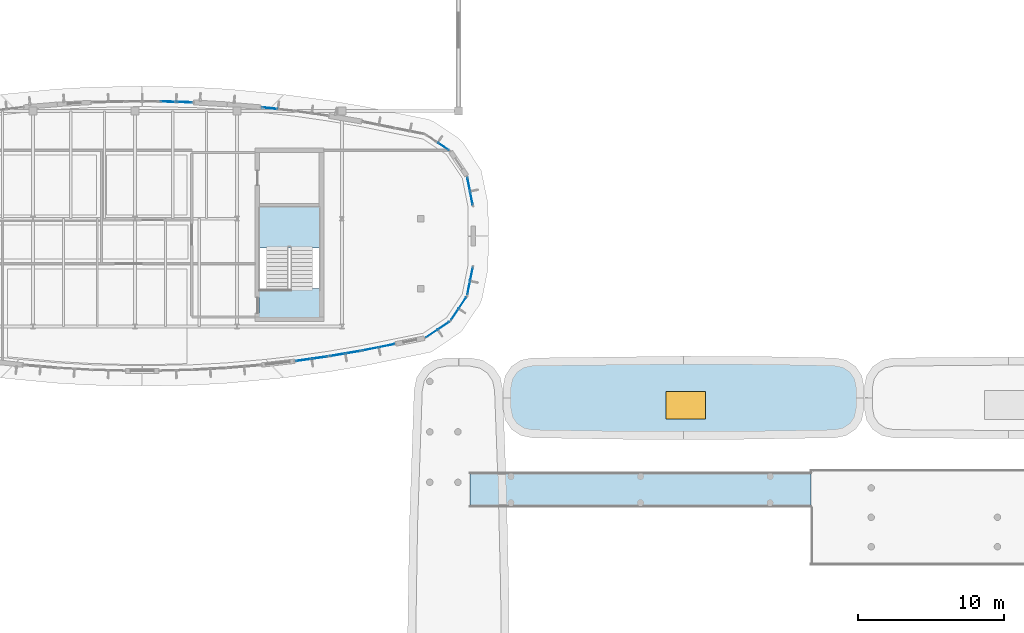
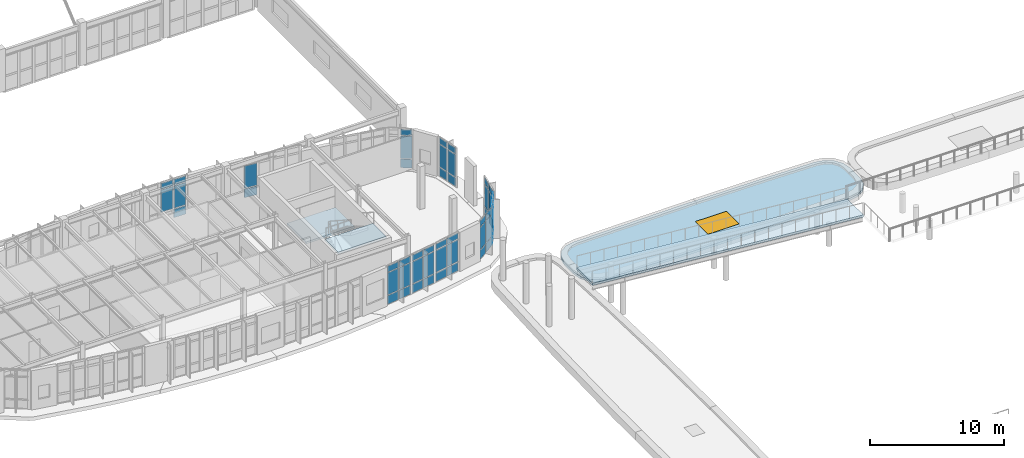
# One storey, part 73 of 111: 52 plates, 4 slabs, 1 window, 1 opening, 11 elements without a shape of their own.
"""IFC4 building model written with IfcOpenShell, lengths in metres."""

import ifcopenshell
import ifcopenshell.guid

model = None  # the IFC model being written
_history = None  # IfcOwnerHistory: only IFC2X3 demands one
_inside = {}  # id of a spatial element -> (the spatial element, [elements in it])
_under = {}  # id of a project, library or spatial element -> (it, [spatial elements below it])
_declared = {}  # id of a project -> (the project, [libraries it declares])
_typed = {}  # id of a type object -> (the type object, [elements of that type])
_made_of = {}  # id of a material, layer set ... -> (it, [elements and type objects made of it])


def new_model(schema):
    """Start an empty IFC model of exactly this schema.

    Asked for "IFC4X3", IfcOpenShell would pick the latest addendum, in which some entities
    have other attributes; the version numbers below select the first issue.
    IFC2X3 requires an IfcOwnerHistory on every rooted entity: one is made here for all.
    """
    global model, _history
    if schema == "IFC4X3":
        model = ifcopenshell.file(schema_version=(4, 3, 0, 0))
    else:
        model = ifcopenshell.file(schema=schema)
    _inside.clear()
    _under.clear()
    _declared.clear()
    _typed.clear()
    _made_of.clear()
    _history = None
    if model.schema == "IFC2X3":
        org = make("IfcOrganization", Name="unknown")
        user = make(
            "IfcPersonAndOrganization",
            ThePerson=make("IfcPerson", FamilyName="unknown"),
            TheOrganization=org,
        )
        app = make(
            "IfcApplication",
            ApplicationDeveloper=org,
            Version="unknown",
            ApplicationFullName="unknown",
            ApplicationIdentifier="unknown",
        )
        _history = make(
            "IfcOwnerHistory",
            OwningUser=user,
            OwningApplication=app,
            ChangeAction="ADDED",
            CreationDate=0,
        )
    return model


def make(cls, **values):
    """One entity of the class cls with the attributes given. An attribute that is None is left unset."""
    return model.create_entity(
        cls, **{name: value for name, value in values.items() if value is not None}
    )


def rooted(cls, **values):
    """An entity with a GlobalId (a new one), such as an element, a storey or a relation."""
    return make(cls, GlobalId=ifcopenshell.guid.new(), OwnerHistory=_history, **values)


def si_unit(unit_type, name, prefix=None):
    """IfcSIUnit, for example si_unit("LENGTHUNIT", "METRE", prefix="MILLI")."""
    return make("IfcSIUnit", UnitType=unit_type, Prefix=prefix, Name=name)


def assignment(units):
    """IfcUnitAssignment: the units of a project."""
    return None if units is None else make("IfcUnitAssignment", Units=units)


def point(xyz):
    """IfcCartesianPoint."""
    return None if xyz is None else make("IfcCartesianPoint", Coordinates=xyz)


def direction(xyz):
    """IfcDirection."""
    return None if xyz is None else make("IfcDirection", DirectionRatios=xyz)


def frame(location, z_axis=None, x_axis=None):
    """IfcAxis2Placement3D, a coordinate frame: its origin and axes. An axis left out is left unset."""
    return make(
        "IfcAxis2Placement3D",
        Location=point(location),
        Axis=direction(z_axis),
        RefDirection=direction(x_axis),
    )


def frame_2d(location, x_axis=None):
    """IfcAxis2Placement2D, a coordinate frame in the plane: its origin and x axis."""
    return make(
        "IfcAxis2Placement2D", Location=point(location), RefDirection=direction(x_axis)
    )


def origin():
    """The frame at (0, 0, 0) with its axes left unset."""
    return frame((0.0, 0.0, 0.0))


def origin_2d():
    """The frame at (0, 0) in the plane with its x axis left unset."""
    return frame_2d((0.0, 0.0))


def place(relative_to, where):
    """IfcLocalPlacement: puts the frame where relative to a parent placement (None: the world)."""
    return make(
        "IfcLocalPlacement", PlacementRelTo=relative_to, RelativePlacement=where
    )


def context(
    kind, dimensions, precision=None, world=None, true_north=None, identifier=None
):
    """IfcGeometricRepresentationContext, for example the 3D "Model" context."""
    return make(
        "IfcGeometricRepresentationContext",
        ContextIdentifier=identifier,
        ContextType=kind,
        CoordinateSpaceDimension=dimensions,
        Precision=precision,
        WorldCoordinateSystem=world,
        TrueNorth=true_north,
    )


def subcontext(parent, identifier, kind, view, scale=None):
    """IfcGeometricRepresentationSubContext, for example "Body" below "Model"."""
    return make(
        "IfcGeometricRepresentationSubContext",
        ContextIdentifier=identifier,
        ContextType=kind,
        ParentContext=parent,
        TargetScale=scale,
        TargetView=view,
    )


def project(units=None, contexts=None):
    """IfcProject with its units and contexts."""
    return rooted(
        "IfcProject",
        Name="project",
        RepresentationContexts=contexts,
        UnitsInContext=assignment(units),
    )


def spatial(cls, under=None, at=None, **own):
    """A site, building, storey or space (cls), placed at a placement, below another one or the project."""
    s = rooted(cls, ObjectPlacement=at, **own)
    if under is not None:
        _under.setdefault(under.id(), (under, []))[1].append(s)
    return s


def polyline(points):
    """IfcPolyline through the points."""
    return make("IfcPolyline", Points=[point(p) for p in points])


def profile(cls, at=None, kind="AREA", **sizes):
    """A parametric profile (cls). Its sizes go by their IFC names, for example OverallWidth=200.0."""
    return make(cls, ProfileType=kind, Position=at, **sizes)


def rectangle(**sizes):
    """IfcRectangleProfileDef."""
    return profile("IfcRectangleProfileDef", **sizes)


def outline(outer, holes=None, kind="AREA"):
    """IfcArbitraryClosedProfileDef: a profile drawn as a closed curve; with holes, ...WithVoids."""
    if holes is None:
        return make("IfcArbitraryClosedProfileDef", ProfileType=kind, OuterCurve=outer)
    return make(
        "IfcArbitraryProfileDefWithVoids",
        ProfileType=kind,
        OuterCurve=outer,
        InnerCurves=holes,
    )


def extrude(swept, where, along, depth):
    """IfcExtrudedAreaSolid: the profile swept, set in the frame where, extruded along a direction by depth."""
    return make(
        "IfcExtrudedAreaSolid",
        SweptArea=swept,
        Position=where,
        ExtrudedDirection=direction(along),
        Depth=depth,
    )


def shape(context_of_items, identifier, shape_type, items):
    """IfcShapeRepresentation: the items that make up one representation, for example the "Body"."""
    return make(
        "IfcShapeRepresentation",
        ContextOfItems=context_of_items,
        RepresentationIdentifier=identifier,
        RepresentationType=shape_type,
        Items=items,
    )


def material(Name=None, Category=None):
    """IfcMaterial."""
    return make("IfcMaterial", Name=Name, Category=Category)


def layer(
    of_material, thickness, ventilated=None, Name=None, Category=None, Priority=None
):
    """IfcMaterialLayer: one layer of a wall or slab, of a material (None: an air gap)."""
    return make(
        "IfcMaterialLayer",
        Material=of_material,
        LayerThickness=thickness,
        IsVentilated=ventilated,
        Name=Name,
        Category=Category,
        Priority=Priority,
    )


def layer_set(layers, Name=None):
    """IfcMaterialLayerSet."""
    return make("IfcMaterialLayerSet", MaterialLayers=layers, LayerSetName=Name)


def made_of(thing, what):
    """Note that an element or type object is made of a material, layer set ...; save() writes the relation."""
    if what is not None:
        _made_of.setdefault(what.id(), (what, []))[1].append(thing)
    return thing


def type_object(cls, material=None, **own):
    """A type object (cls), such as IfcWallType, which elements share."""
    return made_of(rooted(cls, **own), material)


def element(
    cls,
    number,
    at=None,
    inside=None,
    cuts=None,
    type_object=None,
    material=None,
    context=None,
    identifier="Body",
    shape_type=None,
    held_by="IfcProductDefinitionShape",
    body=None,
    shapes=None,
    **own,
):
    """One element of the class cls, such as IfcWall. Its Tag is "e" and its number.

    at: its placement. inside: the storey or other place that contains it. cuts: it is an
    opening in that element (IfcRelVoidsElement). A single representation is given by context,
    identifier, shape_type and body (its items); several are given by shapes. held_by: the class
    of the entity that holds the representations. save() writes the other relations.
    """
    e = rooted(cls, Tag="e%d" % number, ObjectPlacement=at, **own)
    if body is not None:
        shapes = [shape(context, identifier, shape_type, body)]
    if shapes is not None:
        e.Representation = make(held_by, Representations=shapes)
    if inside is not None:
        _inside.setdefault(inside.id(), (inside, []))[1].append(e)
    if cuts is not None:
        rooted(
            "IfcRelVoidsElement", RelatingBuildingElement=cuts, RelatedOpeningElement=e
        )
    if type_object is not None:
        _typed.setdefault(type_object.id(), (type_object, []))[1].append(e)
    return made_of(e, material)


def fill(opening, filler):
    """IfcRelFillsElement: the door or window that sits in an opening."""
    return rooted(
        "IfcRelFillsElement",
        RelatingOpeningElement=opening,
        RelatedBuildingElement=filler,
    )


def aggregate(whole, parts):
    """IfcRelAggregates: a whole, such as a stair, and the parts it consists of."""
    return rooted("IfcRelAggregates", RelatingObject=whole, RelatedObjects=parts)


def save(model, path):
    """Write the relations noted so far, then the file.

    IfcRelAggregates (storeys below a building ...), IfcRelContainedInSpatialStructure (elements
    in a storey), IfcRelDefinesByType, IfcRelAssociatesMaterial and IfcRelDeclares: one each for
    every whole, place, type object, material and project.
    """
    for whole, parts in _under.values():
        aggregate(whole, parts)
    for where, things in _inside.values():
        rooted(
            "IfcRelContainedInSpatialStructure",
            RelatedElements=things,
            RelatingStructure=where,
        )
    for kind, things in _typed.values():
        rooted("IfcRelDefinesByType", RelatedObjects=things, RelatingType=kind)
    for what, things in _made_of.values():
        rooted("IfcRelAssociatesMaterial", RelatedObjects=things, RelatingMaterial=what)
    for by, libraries in _declared.values():
        rooted("IfcRelDeclares", RelatingContext=by, RelatedDefinitions=libraries)
    model.write(path)


model = new_model("IFC4")

# Units and contexts
model_context = context("Model", 3, precision=1e-05, world=origin(), true_north=direction((0.0, 1.0)))
body_context = subcontext(model_context, "Body", "Model", "MODEL_VIEW")
ifc_project = project(units=[si_unit("LENGTHUNIT", "METRE"), si_unit("AREAUNIT", "SQUARE_METRE"), si_unit("VOLUMEUNIT", "CUBIC_METRE"), si_unit("PLANEANGLEUNIT", "RADIAN"), si_unit("MASSUNIT", "GRAM", prefix="KILO")], contexts=[model_context])

# Site, building, storey
site_placement = place(None, origin())
site = spatial("IfcSite", under=ifc_project, at=site_placement, CompositionType="ELEMENT")
building_placement = place(site_placement, origin())
building = spatial("IfcBuilding", under=site, at=building_placement, Name="Corveleigh Park Community Centre", CompositionType="ELEMENT")
storey_placement = place(building_placement, frame((0.0, 0.0, 4.800048828125)))
storey = spatial("IfcBuildingStorey", under=building, at=storey_placement, Name="L01", CompositionType="ELEMENT", Elevation=4.800048828125)

# Curtain wall, plates
ifc_material_1 = material(Name="Anodised aluminium 6063-T6", Category="aluminium")
curtain_wall_type = type_object("IfcCurtainWallType", Name="CW-SYS-V2-HALL", PredefinedType="NOTDEFINED", material=ifc_material_1)
curtain_wall_1_placement = place(storey_placement, origin())
curtain_wall_1 = element("IfcCurtainWall", 1, at=curtain_wall_1_placement, inside=storey, type_object=curtain_wall_type, Name="V2 L01 Curtain Wall 205", PredefinedType="NOTDEFINED")
ifc_material_2 = material(Name="Low-E double glazing", Category="glass")
ifc_layer_1 = layer(ifc_material_2, 0.02392578125, Name="Low-E double glazing", Category="glass")
ifc_layer_set_1 = layer_set([ifc_layer_1], Name="Low-E double glazing")
plate_type_1 = type_object("IfcPlateType", Name="CWP-GLZ-24", PredefinedType="CURTAIN_PANEL", material=ifc_layer_set_1)
plate_1_placement = place(storey_placement, frame((49.483154296875, 76.681884765625, 0.080078125), z_axis=(0.0, 0.0, 1.0), x_axis=(-0.980381101638, -0.197111378544, 0.0)))
plate_1 = element("IfcPlate", 2, at=plate_1_placement, type_object=plate_type_1, Name="CW04 panel 1.1", PredefinedType="CURTAIN_PANEL", context=body_context, shape_type="SweptSolid", body=[
    extrude(rectangle(XDim=1.0693359375, YDim=0.02392578125, at=origin_2d()), origin(), (0.0, 0.0, 1.0), 0.780029296875),
])
plate_2_placement = place(storey_placement, frame((49.483154296875, 76.681884765625, 0.93994140625), z_axis=(0.0, 0.0, 1.0), x_axis=(-0.980381101638, -0.197111378544, 0.0)))
plate_2 = element("IfcPlate", 3, at=plate_2_placement, type_object=plate_type_1, Name="CW04 panel 1.2", PredefinedType="CURTAIN_PANEL", context=body_context, shape_type="SweptSolid", body=[
    extrude(rectangle(XDim=1.0693359375, YDim=0.02392578125, at=origin_2d()), origin(), (0.0, 0.0, 1.0), 1.989990234375),
])
plate_3_placement = place(storey_placement, frame((49.483154296875, 76.681884765625, 3.009765625), z_axis=(0.0, 0.0, 1.0), x_axis=(-0.980381101638, -0.197111378544, 0.0)))
plate_3 = element("IfcPlate", 4, at=plate_3_placement, type_object=plate_type_1, Name="CW04 panel 1.3", PredefinedType="CURTAIN_PANEL", context=body_context, shape_type="SweptSolid", body=[
    extrude(rectangle(XDim=1.0693359375, YDim=0.02392578125, at=origin_2d()), origin(), (0.0, 0.0, 1.0), 0.530029296875),
])
plate_4_placement = place(storey_placement, frame((48.3759765625, 76.459228515625, 0.080078125), z_axis=(0.0, 0.0, 1.0), x_axis=(-0.980381101638, -0.197111378544, 0.0)))
plate_4 = element("IfcPlate", 5, at=plate_4_placement, type_object=plate_type_1, Name="CW04 panel 2.1", PredefinedType="CURTAIN_PANEL", context=body_context, shape_type="SweptSolid", body=[
    extrude(rectangle(XDim=1.0693359375, YDim=0.02392578125, at=origin_2d()), origin(), (0.0, 0.0, 1.0), 0.780029296875),
])
plate_5_placement = place(storey_placement, frame((48.3759765625, 76.459228515625, 0.93994140625), z_axis=(0.0, 0.0, 1.0), x_axis=(-0.980381101638, -0.197111378544, 0.0)))
plate_5 = element("IfcPlate", 6, at=plate_5_placement, type_object=plate_type_1, Name="CW04 panel 2.2", PredefinedType="CURTAIN_PANEL", context=body_context, shape_type="SweptSolid", body=[
    extrude(rectangle(XDim=1.0693359375, YDim=0.02392578125, at=origin_2d()), origin(), (0.0, 0.0, 1.0), 1.989990234375),
])
plate_6_placement = place(storey_placement, frame((48.3759765625, 76.459228515625, 3.009765625), z_axis=(0.0, 0.0, 1.0), x_axis=(-0.980381101638, -0.197111378544, 0.0)))
plate_6 = element("IfcPlate", 7, at=plate_6_placement, type_object=plate_type_1, Name="CW04 panel 2.3", PredefinedType="CURTAIN_PANEL", context=body_context, shape_type="SweptSolid", body=[
    extrude(rectangle(XDim=1.0693359375, YDim=0.02392578125, at=origin_2d()), origin(), (0.0, 0.0, 1.0), 0.530029296875),
])
aggregate(curtain_wall_1, [plate_1, plate_2, plate_3, plate_4, plate_5, plate_6])

curtain_wall_2_placement = place(storey_placement, origin())
curtain_wall_2 = element("IfcCurtainWall", 8, at=curtain_wall_2_placement, inside=storey, type_object=curtain_wall_type, Name="V2 L01 Curtain Wall 206", PredefinedType="NOTDEFINED")
plate_7_placement = place(storey_placement, frame((53.375, 78.05078125, 0.059814453125), z_axis=(0.0, 0.0, 1.0), x_axis=(-0.831508500991, -0.555512027575, 0.0)))
plate_7 = element("IfcPlate", 9, at=plate_7_placement, type_object=plate_type_1, Name="CW04 panel 1.1", PredefinedType="CURTAIN_PANEL", context=body_context, shape_type="SweptSolid", body=[
    extrude(rectangle(XDim=0.89697265625, YDim=0.02392578125, at=origin_2d()), origin(), (0.0, 0.0, 1.0), 0.81005859375),
])
plate_8_placement = place(storey_placement, frame((53.375, 78.05078125, 0.93017578125), z_axis=(0.0, 0.0, 1.0), x_axis=(-0.831508500991, -0.555512027575, 0.0)))
plate_8 = element("IfcPlate", 10, at=plate_8_placement, type_object=plate_type_1, Name="CW04 panel 1.2", PredefinedType="CURTAIN_PANEL", context=body_context, shape_type="SweptSolid", body=[
    extrude(rectangle(XDim=0.89697265625, YDim=0.02392578125, at=origin_2d()), origin(), (0.0, 0.0, 1.0), 2.010009765625),
])
plate_9_placement = place(storey_placement, frame((53.375, 78.05078125, 3.0), z_axis=(0.0, 0.0, 1.0), x_axis=(-0.831508500991, -0.555512027575, 0.0)))
plate_9 = element("IfcPlate", 11, at=plate_9_placement, type_object=plate_type_1, Name="CW04 panel 1.3", PredefinedType="CURTAIN_PANEL", context=body_context, shape_type="SweptSolid", body=[
    extrude(rectangle(XDim=0.89697265625, YDim=0.02392578125, at=origin_2d()), origin(), (0.0, 0.0, 1.0), 0.56005859375),
])
plate_10_placement = place(storey_placement, frame((52.574951171875, 77.516357421875, 0.059814453125), z_axis=(0.0, 0.0, 1.0), x_axis=(-0.831508500991, -0.555512027575, 0.0)))
plate_10 = element("IfcPlate", 12, at=plate_10_placement, type_object=plate_type_1, Name="CW04 panel 2.1", PredefinedType="CURTAIN_PANEL", context=body_context, shape_type="SweptSolid", body=[
    extrude(rectangle(XDim=0.89697265625, YDim=0.02392578125, at=origin_2d()), origin(), (0.0, 0.0, 1.0), 0.81005859375),
])
plate_11_placement = place(storey_placement, frame((52.574951171875, 77.516357421875, 0.93017578125), z_axis=(0.0, 0.0, 1.0), x_axis=(-0.831508500991, -0.555512027575, 0.0)))
plate_11 = element("IfcPlate", 13, at=plate_11_placement, type_object=plate_type_1, Name="CW04 panel 2.2", PredefinedType="CURTAIN_PANEL", context=body_context, shape_type="SweptSolid", body=[
    extrude(rectangle(XDim=0.89697265625, YDim=0.02392578125, at=origin_2d()), origin(), (0.0, 0.0, 1.0), 2.010009765625),
])
plate_12_placement = place(storey_placement, frame((52.574951171875, 77.516357421875, 3.0), z_axis=(0.0, 0.0, 1.0), x_axis=(-0.831508500991, -0.555512027575, 0.0)))
plate_12 = element("IfcPlate", 14, at=plate_12_placement, type_object=plate_type_1, Name="CW04 panel 2.3", PredefinedType="CURTAIN_PANEL", context=body_context, shape_type="SweptSolid", body=[
    extrude(rectangle(XDim=0.89697265625, YDim=0.02392578125, at=origin_2d()), origin(), (0.0, 0.0, 1.0), 0.56005859375),
])
aggregate(curtain_wall_2, [plate_7, plate_8, plate_9, plate_10, plate_11, plate_12])

curtain_wall_3_placement = place(storey_placement, origin())
curtain_wall_3 = element("IfcCurtainWall", 15, at=curtain_wall_3_placement, inside=storey, type_object=curtain_wall_type, Name="V2 L01 Curtain Wall 207", PredefinedType="NOTDEFINED")
ifc_layer_2 = layer(ifc_material_2, 0.028076171875, Name="Low-E double glazing", Category="glass")
ifc_layer_set_2 = layer_set([ifc_layer_2], Name="Low-E double glazing")
plate_type_2 = type_object("IfcPlateType", Name="CWP-GLZ-28", PredefinedType="CURTAIN_PANEL", material=ifc_layer_set_2)
plate_13_placement = place(storey_placement, frame((54.68310546875, 79.6240234375, 0.06494140625), z_axis=(0.0, 0.0, 1.0), x_axis=(-0.555512027575, -0.831508500991, 0.0)))
plate_13 = element("IfcPlate", 16, at=plate_13_placement, type_object=plate_type_2, Name="CW04 panel 1.1", PredefinedType="CURTAIN_PANEL", context=body_context, shape_type="SweptSolid", body=[
    extrude(rectangle(XDim=0.8896484375, YDim=0.028076171875, at=origin_2d()), origin(), (0.0, 0.0, 1.0), 0.802490234375),
])
plate_14_placement = place(storey_placement, frame((54.68310546875, 79.6240234375, 0.9326171875), z_axis=(0.0, 0.0, 1.0), x_axis=(-0.555512027575, -0.831508500991, 0.0)))
plate_14 = element("IfcPlate", 17, at=plate_14_placement, type_object=plate_type_2, Name="CW04 panel 1.2", PredefinedType="CURTAIN_PANEL", context=body_context, shape_type="SweptSolid", body=[
    extrude(rectangle(XDim=0.8896484375, YDim=0.028076171875, at=origin_2d()), origin(), (0.0, 0.0, 1.0), 2.0048828125),
])
plate_15_placement = place(storey_placement, frame((54.68310546875, 79.6240234375, 3.00244140625), z_axis=(0.0, 0.0, 1.0), x_axis=(-0.555512027575, -0.831508500991, 0.0)))
plate_15 = element("IfcPlate", 18, at=plate_15_placement, type_object=plate_type_2, Name="CW04 panel 1.3", PredefinedType="CURTAIN_PANEL", context=body_context, shape_type="SweptSolid", body=[
    extrude(rectangle(XDim=0.8896484375, YDim=0.028076171875, at=origin_2d()), origin(), (0.0, 0.0, 1.0), 0.552490234375),
])
plate_16_placement = place(storey_placement, frame((54.14990234375, 78.826171875, 0.06494140625), z_axis=(0.0, 0.0, 1.0), x_axis=(-0.555512027575, -0.831508500991, 0.0)))
plate_16 = element("IfcPlate", 19, at=plate_16_placement, type_object=plate_type_2, Name="CW04 panel 2.1", PredefinedType="CURTAIN_PANEL", context=body_context, shape_type="SweptSolid", body=[
    extrude(rectangle(XDim=0.8896484375, YDim=0.028076171875, at=origin_2d()), origin(), (0.0, 0.0, 1.0), 0.802490234375),
])
plate_17_placement = place(storey_placement, frame((54.14990234375, 78.826171875, 0.9326171875), z_axis=(0.0, 0.0, 1.0), x_axis=(-0.555512027575, -0.831508500991, 0.0)))
plate_17 = element("IfcPlate", 20, at=plate_17_placement, type_object=plate_type_2, Name="CW04 panel 2.2", PredefinedType="CURTAIN_PANEL", context=body_context, shape_type="SweptSolid", body=[
    extrude(rectangle(XDim=0.8896484375, YDim=0.028076171875, at=origin_2d()), origin(), (0.0, 0.0, 1.0), 2.0048828125),
])
plate_18_placement = place(storey_placement, frame((54.14990234375, 78.826171875, 3.00244140625), z_axis=(0.0, 0.0, 1.0), x_axis=(-0.555512027575, -0.831508500991, 0.0)))
plate_18 = element("IfcPlate", 21, at=plate_18_placement, type_object=plate_type_2, Name="CW04 panel 2.3", PredefinedType="CURTAIN_PANEL", context=body_context, shape_type="SweptSolid", body=[
    extrude(rectangle(XDim=0.8896484375, YDim=0.028076171875, at=origin_2d()), origin(), (0.0, 0.0, 1.0), 0.552490234375),
])
aggregate(curtain_wall_3, [plate_13, plate_14, plate_15, plate_16, plate_17, plate_18])

curtain_wall_4_placement = place(storey_placement, origin())
curtain_wall_4 = element("IfcCurtainWall", 22, at=curtain_wall_4_placement, inside=storey, type_object=curtain_wall_type, Name="V2 L01 Curtain Wall 208", PredefinedType="NOTDEFINED")
plate_19_placement = place(storey_placement, frame((55.29345703125, 81.5927734375, 0.070068359375), z_axis=(0.0, 0.0, 1.0), x_axis=(-0.195063384171, -0.980790638289, 0.0)))
plate_19 = element("IfcPlate", 23, at=plate_19_placement, type_object=plate_type_2, Name="CW04 panel 1.1", PredefinedType="CURTAIN_PANEL", context=body_context, shape_type="SweptSolid", body=[
    extrude(rectangle(XDim=0.892333984375, YDim=0.028076171875, at=origin_2d()), origin(), (0.0, 0.0, 1.0), 0.794921875),
])
plate_20_placement = place(storey_placement, frame((55.29345703125, 81.5927734375, 0.93505859375), z_axis=(0.0, 0.0, 1.0), x_axis=(-0.195063384171, -0.980790638289, 0.0)))
plate_20 = element("IfcPlate", 24, at=plate_20_placement, type_object=plate_type_2, Name="CW04 panel 1.2", PredefinedType="CURTAIN_PANEL", context=body_context, shape_type="SweptSolid", body=[
    extrude(rectangle(XDim=0.892333984375, YDim=0.028076171875, at=origin_2d()), origin(), (0.0, 0.0, 1.0), 2.0),
])
plate_21_placement = place(storey_placement, frame((55.29345703125, 81.5927734375, 3.0048828125), z_axis=(0.0, 0.0, 1.0), x_axis=(-0.195063384171, -0.980790638289, 0.0)))
plate_21 = element("IfcPlate", 25, at=plate_21_placement, type_object=plate_type_2, Name="CW04 panel 1.3", PredefinedType="CURTAIN_PANEL", context=body_context, shape_type="SweptSolid", body=[
    extrude(rectangle(XDim=0.892333984375, YDim=0.028076171875, at=origin_2d()), origin(), (0.0, 0.0, 1.0), 0.544921875),
])
plate_22_placement = place(storey_placement, frame((55.104736328125, 80.64404296875, 0.070068359375), z_axis=(0.0, 0.0, 1.0), x_axis=(-0.195063384171, -0.980790638289, 0.0)))
plate_22 = element("IfcPlate", 26, at=plate_22_placement, type_object=plate_type_2, Name="CW04 panel 2.1", PredefinedType="CURTAIN_PANEL", context=body_context, shape_type="SweptSolid", body=[
    extrude(rectangle(XDim=0.892333984375, YDim=0.028076171875, at=origin_2d()), origin(), (0.0, 0.0, 1.0), 0.794921875),
])
plate_23_placement = place(storey_placement, frame((55.104736328125, 80.64404296875, 0.93505859375), z_axis=(0.0, 0.0, 1.0), x_axis=(-0.195063384171, -0.980790638289, 0.0)))
plate_23 = element("IfcPlate", 27, at=plate_23_placement, type_object=plate_type_2, Name="CW04 panel 2.2", PredefinedType="CURTAIN_PANEL", context=body_context, shape_type="SweptSolid", body=[
    extrude(rectangle(XDim=0.892333984375, YDim=0.028076171875, at=origin_2d()), origin(), (0.0, 0.0, 1.0), 2.0),
])
plate_24_placement = place(storey_placement, frame((55.104736328125, 80.64404296875, 3.0048828125), z_axis=(0.0, 0.0, 1.0), x_axis=(-0.195063384171, -0.980790638289, 0.0)))
plate_24 = element("IfcPlate", 28, at=plate_24_placement, type_object=plate_type_2, Name="CW04 panel 2.3", PredefinedType="CURTAIN_PANEL", context=body_context, shape_type="SweptSolid", body=[
    extrude(rectangle(XDim=0.892333984375, YDim=0.028076171875, at=origin_2d()), origin(), (0.0, 0.0, 1.0), 0.544921875),
])
aggregate(curtain_wall_4, [plate_19, plate_20, plate_21, plate_22, plate_23, plate_24])

curtain_wall_5_placement = place(storey_placement, origin())
curtain_wall_5 = element("IfcCurtainWall", 29, at=curtain_wall_5_placement, inside=storey, type_object=curtain_wall_type, Name="V2 L01 Curtain Wall 209", PredefinedType="NOTDEFINED")
ifc_layer_3 = layer(ifc_material_2, 0.031982421875, Name="Low-E double glazing", Category="glass")
ifc_layer_set_3 = layer_set([ifc_layer_3], Name="Low-E double glazing")
plate_type_3 = type_object("IfcPlateType", Name="CWP-GLZ-32", PredefinedType="CURTAIN_PANEL", material=ifc_layer_set_3)
plate_25_placement = place(storey_placement, frame((55.10498046875, 87.754638671875, 0.074951171875), z_axis=(0.0, 0.0, 1.0), x_axis=(0.195063384171, -0.980790638289, 0.0)))
plate_25 = element("IfcPlate", 30, at=plate_25_placement, type_object=plate_type_3, Name="CW04 panel 1.1", PredefinedType="CURTAIN_PANEL", context=body_context, shape_type="SweptSolid", body=[
    extrude(rectangle(XDim=0.884765625, YDim=0.031982421875, at=origin_2d()), origin(), (0.0, 0.0, 1.0), 0.78759765625),
])
plate_26_placement = place(storey_placement, frame((55.10498046875, 87.754638671875, 0.9375), z_axis=(0.0, 0.0, 1.0), x_axis=(0.195063384171, -0.980790638289, 0.0)))
plate_26 = element("IfcPlate", 31, at=plate_26_placement, type_object=plate_type_3, Name="CW04 panel 1.2", PredefinedType="CURTAIN_PANEL", context=body_context, shape_type="SweptSolid", body=[
    extrude(rectangle(XDim=0.884765625, YDim=0.031982421875, at=origin_2d()), origin(), (0.0, 0.0, 1.0), 2.031982421875),
])
plate_27_placement = place(storey_placement, frame((55.10498046875, 87.754638671875, 3.04443359375), z_axis=(0.0, 0.0, 1.0), x_axis=(0.195063384171, -0.980790638289, 0.0)))
plate_27 = element("IfcPlate", 32, at=plate_27_placement, type_object=plate_type_3, Name="CW04 panel 1.3", PredefinedType="CURTAIN_PANEL", context=body_context, shape_type="SweptSolid", body=[
    extrude(rectangle(XDim=0.884765625, YDim=0.031982421875, at=origin_2d()), origin(), (0.0, 0.0, 1.0), 0.53759765625),
])
plate_28_placement = place(storey_placement, frame((55.293212890625, 86.808349609375, 0.074951171875), z_axis=(0.0, 0.0, 1.0), x_axis=(0.195063384171, -0.980790638289, 0.0)))
plate_28 = element("IfcPlate", 33, at=plate_28_placement, type_object=plate_type_3, Name="CW04 panel 2.1", PredefinedType="CURTAIN_PANEL", context=body_context, shape_type="SweptSolid", body=[
    extrude(rectangle(XDim=0.884765625, YDim=0.031982421875, at=origin_2d()), origin(), (0.0, 0.0, 1.0), 0.78759765625),
])
plate_29_placement = place(storey_placement, frame((55.293212890625, 86.808349609375, 0.9375), z_axis=(0.0, 0.0, 1.0), x_axis=(0.195063384171, -0.980790638289, 0.0)))
plate_29 = element("IfcPlate", 34, at=plate_29_placement, type_object=plate_type_3, Name="CW04 panel 2.2", PredefinedType="CURTAIN_PANEL", context=body_context, shape_type="SweptSolid", body=[
    extrude(rectangle(XDim=0.884765625, YDim=0.031982421875, at=origin_2d()), origin(), (0.0, 0.0, 1.0), 2.031982421875),
])
plate_30_placement = place(storey_placement, frame((55.293212890625, 86.808349609375, 3.04443359375), z_axis=(0.0, 0.0, 1.0), x_axis=(0.195063384171, -0.980790638289, 0.0)))
plate_30 = element("IfcPlate", 35, at=plate_30_placement, type_object=plate_type_3, Name="CW04 panel 2.3", PredefinedType="CURTAIN_PANEL", context=body_context, shape_type="SweptSolid", body=[
    extrude(rectangle(XDim=0.884765625, YDim=0.031982421875, at=origin_2d()), origin(), (0.0, 0.0, 1.0), 0.53759765625),
])
aggregate(curtain_wall_5, [plate_25, plate_26, plate_27, plate_28, plate_29, plate_30])

curtain_wall_6_placement = place(storey_placement, origin())
curtain_wall_6 = element("IfcCurtainWall", 36, at=curtain_wall_6_placement, inside=storey, type_object=curtain_wall_type, Name="V2 L01 Curtain Wall 210", PredefinedType="NOTDEFINED")
plate_31_placement = place(storey_placement, frame((53.370849609375, 90.35205078125, 0.080078125), z_axis=(0.0, 0.0, 1.0), x_axis=(0.831508500991, -0.555512027575, 0.0)))
plate_31 = element("IfcPlate", 37, at=plate_31_placement, type_object=plate_type_3, Name="CW04 panel 2.1", PredefinedType="CURTAIN_PANEL", context=body_context, shape_type="SweptSolid", body=[
    extrude(rectangle(XDim=0.8671875, YDim=0.031982421875, at=origin_2d()), origin(), (0.0, 0.0, 1.0), 0.780029296875),
])
plate_32_placement = place(storey_placement, frame((53.370849609375, 90.35205078125, 0.93994140625), z_axis=(0.0, 0.0, 1.0), x_axis=(0.831508500991, -0.555512027575, 0.0)))
plate_32 = element("IfcPlate", 38, at=plate_32_placement, type_object=plate_type_3, Name="CW04 panel 2.2", PredefinedType="CURTAIN_PANEL", context=body_context, shape_type="SweptSolid", body=[
    extrude(rectangle(XDim=0.8671875, YDim=0.031982421875, at=origin_2d()), origin(), (0.0, 0.0, 1.0), 2.027099609375),
])
plate_33_placement = place(storey_placement, frame((53.370849609375, 90.35205078125, 3.046875), z_axis=(0.0, 0.0, 1.0), x_axis=(0.831508500991, -0.555512027575, 0.0)))
plate_33 = element("IfcPlate", 39, at=plate_33_placement, type_object=plate_type_3, Name="CW04 panel 2.3", PredefinedType="CURTAIN_PANEL", context=body_context, shape_type="SweptSolid", body=[
    extrude(rectangle(XDim=0.8671875, YDim=0.031982421875, at=origin_2d()), origin(), (0.0, 0.0, 1.0), 0.530029296875),
])
aggregate(curtain_wall_6, [plate_31, plate_32, plate_33])

curtain_wall_7_placement = place(storey_placement, origin())
curtain_wall_7 = element("IfcCurtainWall", 40, at=curtain_wall_7_placement, inside=storey, type_object=curtain_wall_type, Name="V2 L01 Curtain Wall 214", PredefinedType="NOTDEFINED")
ifc_layer_4 = layer(ifc_material_2, 0.0400390625, Name="Low-E double glazing", Category="glass")
ifc_layer_set_4 = layer_set([ifc_layer_4], Name="Low-E double glazing")
plate_type_4 = type_object("IfcPlateType", Name="CWP-GLZ-40", PredefinedType="CURTAIN_PANEL", material=ifc_layer_set_4)
plate_34_placement = place(storey_placement, frame((41.457763671875, 92.9794921875, 0.074951171875), z_axis=(0.0, 0.0, 1.0), x_axis=(0.99357990731, -0.113132523128, 0.0)))
plate_34 = element("IfcPlate", 41, at=plate_34_placement, type_object=plate_type_4, Name="CW04 panel 1.1", PredefinedType="CURTAIN_PANEL", context=body_context, shape_type="SweptSolid", body=[
    extrude(rectangle(XDim=1.04541015625, YDim=0.0400390625, at=origin_2d()), origin(), (0.0, 0.0, 1.0), 0.78759765625),
])
plate_35_placement = place(storey_placement, frame((41.457763671875, 92.9794921875, 0.9375), z_axis=(0.0, 0.0, 1.0), x_axis=(0.99357990731, -0.113132523128, 0.0)))
plate_35 = element("IfcPlate", 42, at=plate_35_placement, type_object=plate_type_4, Name="CW04 panel 1.2", PredefinedType="CURTAIN_PANEL", context=body_context, shape_type="SweptSolid", body=[
    extrude(rectangle(XDim=1.04541015625, YDim=0.0400390625, at=origin_2d()), origin(), (0.0, 0.0, 1.0), 2.031982421875),
])
aggregate(curtain_wall_7, [plate_34, plate_35])

curtain_wall_8_placement = place(storey_placement, origin())
curtain_wall_8 = element("IfcCurtainWall", 43, at=curtain_wall_8_placement, inside=storey, type_object=curtain_wall_type, Name="V2 L01 Curtain Wall 203", PredefinedType="NOTDEFINED")
ifc_layer_5 = layer(ifc_material_2, 0.0439453125, Name="Low-E double glazing", Category="glass")
ifc_layer_set_5 = layer_set([ifc_layer_5], Name="Low-E double glazing")
plate_type_5 = type_object("IfcPlateType", Name="CWP-GLZ-44", PredefinedType="CURTAIN_PANEL", material=ifc_layer_set_5)
plate_36_placement = place(storey_placement, frame((44.882080078125, 75.860107421875, 0.070068359375), z_axis=(0.0, 0.0, 1.0), x_axis=(-0.989914912111, -0.141663216042, 0.0)))
plate_36 = element("IfcPlate", 44, at=plate_36_placement, type_object=plate_type_5, Name="CW04 panel 1.1", PredefinedType="CURTAIN_PANEL", context=body_context, shape_type="SweptSolid", body=[
    extrude(rectangle(XDim=1.03759765625, YDim=0.0439453125, at=origin_2d()), origin(), (0.0, 0.0, 1.0), 0.794921875),
])
plate_37_placement = place(storey_placement, frame((44.882080078125, 75.860107421875, 0.93505859375), z_axis=(0.0, 0.0, 1.0), x_axis=(-0.989914912111, -0.141663216042, 0.0)))
plate_37 = element("IfcPlate", 45, at=plate_37_placement, type_object=plate_type_5, Name="CW04 panel 1.2", PredefinedType="CURTAIN_PANEL", context=body_context, shape_type="SweptSolid", body=[
    extrude(rectangle(XDim=1.03759765625, YDim=0.0439453125, at=origin_2d()), origin(), (0.0, 0.0, 1.0), 2.0),
])
plate_38_placement = place(storey_placement, frame((44.882080078125, 75.860107421875, 3.0048828125), z_axis=(0.0, 0.0, 1.0), x_axis=(-0.989914912111, -0.141663216042, 0.0)))
plate_38 = element("IfcPlate", 46, at=plate_38_placement, type_object=plate_type_5, Name="CW04 panel 1.3", PredefinedType="CURTAIN_PANEL", context=body_context, shape_type="SweptSolid", body=[
    extrude(rectangle(XDim=1.03759765625, YDim=0.0439453125, at=origin_2d()), origin(), (0.0, 0.0, 1.0), 0.544921875),
])
plate_39_placement = place(storey_placement, frame((43.77587890625, 75.701904296875, 0.070068359375), z_axis=(0.0, 0.0, 1.0), x_axis=(-0.989914912111, -0.141663216042, 0.0)))
plate_39 = element("IfcPlate", 47, at=plate_39_placement, type_object=plate_type_5, Name="CW04 panel 2.1", PredefinedType="CURTAIN_PANEL", context=body_context, shape_type="SweptSolid", body=[
    extrude(rectangle(XDim=1.03759765625, YDim=0.0439453125, at=origin_2d()), origin(), (0.0, 0.0, 1.0), 0.794921875),
])
plate_40_placement = place(storey_placement, frame((43.77587890625, 75.701904296875, 0.93505859375), z_axis=(0.0, 0.0, 1.0), x_axis=(-0.989914912111, -0.141663216042, 0.0)))
plate_40 = element("IfcPlate", 48, at=plate_40_placement, type_object=plate_type_5, Name="CW04 panel 2.2", PredefinedType="CURTAIN_PANEL", context=body_context, shape_type="SweptSolid", body=[
    extrude(rectangle(XDim=1.03759765625, YDim=0.0439453125, at=origin_2d()), origin(), (0.0, 0.0, 1.0), 2.0),
])
plate_41_placement = place(storey_placement, frame((43.77587890625, 75.701904296875, 3.0048828125), z_axis=(0.0, 0.0, 1.0), x_axis=(-0.989914912111, -0.141663216042, 0.0)))
plate_41 = element("IfcPlate", 49, at=plate_41_placement, type_object=plate_type_5, Name="CW04 panel 2.3", PredefinedType="CURTAIN_PANEL", context=body_context, shape_type="SweptSolid", body=[
    extrude(rectangle(XDim=1.03759765625, YDim=0.0439453125, at=origin_2d()), origin(), (0.0, 0.0, 1.0), 0.544921875),
])
aggregate(curtain_wall_8, [plate_36, plate_37, plate_38, plate_39, plate_40, plate_41])

curtain_wall_9_placement = place(storey_placement, origin())
curtain_wall_9 = element("IfcCurtainWall", 50, at=curtain_wall_9_placement, inside=storey, type_object=curtain_wall_type, Name="V2 L01 Curtain Wall 204", PredefinedType="NOTDEFINED")
plate_42_placement = place(storey_placement, frame((47.18359375, 76.23681640625, 0.074951171875), z_axis=(0.0, 0.0, 1.0), x_axis=(-0.985708447551, -0.16846025177, 0.0)))
plate_42 = element("IfcPlate", 51, at=plate_42_placement, type_object=plate_type_5, Name="CW04 panel 1.1", PredefinedType="CURTAIN_PANEL", context=body_context, shape_type="SweptSolid", body=[
    extrude(rectangle(XDim=1.030029296875, YDim=0.0439453125, at=origin_2d()), origin(), (0.0, 0.0, 1.0), 0.78759765625),
])
plate_43_placement = place(storey_placement, frame((47.18359375, 76.23681640625, 0.9375), z_axis=(0.0, 0.0, 1.0), x_axis=(-0.985708447551, -0.16846025177, 0.0)))
plate_43 = element("IfcPlate", 52, at=plate_43_placement, type_object=plate_type_5, Name="CW04 panel 1.2", PredefinedType="CURTAIN_PANEL", context=body_context, shape_type="SweptSolid", body=[
    extrude(rectangle(XDim=1.030029296875, YDim=0.0439453125, at=origin_2d()), origin(), (0.0, 0.0, 1.0), 1.9951171875),
])
plate_44_placement = place(storey_placement, frame((47.18359375, 76.23681640625, 3.00732421875), z_axis=(0.0, 0.0, 1.0), x_axis=(-0.985708447551, -0.16846025177, 0.0)))
plate_44 = element("IfcPlate", 53, at=plate_44_placement, type_object=plate_type_5, Name="CW04 panel 1.3", PredefinedType="CURTAIN_PANEL", context=body_context, shape_type="SweptSolid", body=[
    extrude(rectangle(XDim=1.030029296875, YDim=0.0439453125, at=origin_2d()), origin(), (0.0, 0.0, 1.0), 0.53759765625),
])
plate_45_placement = place(storey_placement, frame((46.08447265625, 76.049072265625, 0.074951171875), z_axis=(0.0, 0.0, 1.0), x_axis=(-0.985708447551, -0.16846025177, 0.0)))
plate_45 = element("IfcPlate", 54, at=plate_45_placement, type_object=plate_type_5, Name="CW04 panel 2.1", PredefinedType="CURTAIN_PANEL", context=body_context, shape_type="SweptSolid", body=[
    extrude(rectangle(XDim=1.030029296875, YDim=0.0439453125, at=origin_2d()), origin(), (0.0, 0.0, 1.0), 0.78759765625),
])
plate_46_placement = place(storey_placement, frame((46.08447265625, 76.049072265625, 0.9375), z_axis=(0.0, 0.0, 1.0), x_axis=(-0.985708447551, -0.16846025177, 0.0)))
plate_46 = element("IfcPlate", 55, at=plate_46_placement, type_object=plate_type_5, Name="CW04 panel 2.2", PredefinedType="CURTAIN_PANEL", context=body_context, shape_type="SweptSolid", body=[
    extrude(rectangle(XDim=1.030029296875, YDim=0.0439453125, at=origin_2d()), origin(), (0.0, 0.0, 1.0), 1.9951171875),
])
plate_47_placement = place(storey_placement, frame((46.08447265625, 76.049072265625, 3.00732421875), z_axis=(0.0, 0.0, 1.0), x_axis=(-0.985708447551, -0.16846025177, 0.0)))
plate_47 = element("IfcPlate", 56, at=plate_47_placement, type_object=plate_type_5, Name="CW04 panel 2.3", PredefinedType="CURTAIN_PANEL", context=body_context, shape_type="SweptSolid", body=[
    extrude(rectangle(XDim=1.030029296875, YDim=0.0439453125, at=origin_2d()), origin(), (0.0, 0.0, 1.0), 0.53759765625),
])
aggregate(curtain_wall_9, [plate_42, plate_43, plate_44, plate_45, plate_46, plate_47])

curtain_wall_10_placement = place(storey_placement, origin())
curtain_wall_10 = element("IfcCurtainWall", 57, at=curtain_wall_10_placement, inside=storey, type_object=curtain_wall_type, Name="V2 L01 Curtain Wall 215", PredefinedType="NOTDEFINED")
plate_48_placement = place(storey_placement, frame((34.474853515625, 93.427001953125, 0.93994140625), z_axis=(0.0, 0.0, 1.0), x_axis=(0.999593845531, -0.028498139871, 0.0)))
plate_48 = element("IfcPlate", 58, at=plate_48_placement, type_object=plate_type_5, Name="CW04 panel 1.2", PredefinedType="CURTAIN_PANEL", context=body_context, shape_type="SweptSolid", body=[
    extrude(rectangle(XDim=1.0380859375, YDim=0.0439453125, at=origin_2d()), origin(), (0.0, 0.0, 1.0), 2.027099609375),
])
plate_49_placement = place(storey_placement, frame((34.474853515625, 93.427001953125, 3.046875), z_axis=(0.0, 0.0, 1.0), x_axis=(0.999593845531, -0.028498139871, 0.0)))
plate_49 = element("IfcPlate", 59, at=plate_49_placement, type_object=plate_type_5, Name="CW04 panel 1.3", PredefinedType="CURTAIN_PANEL", context=body_context, shape_type="SweptSolid", body=[
    extrude(rectangle(XDim=1.0380859375, YDim=0.0439453125, at=origin_2d()), origin(), (0.0, 0.0, 1.0), 0.530029296875),
])
plate_50_placement = place(storey_placement, frame((35.59228515625, 93.39501953125, 0.080078125), z_axis=(0.0, 0.0, 1.0), x_axis=(0.999593845531, -0.028498139871, 0.0)))
plate_50 = element("IfcPlate", 60, at=plate_50_placement, type_object=plate_type_5, Name="CW04 panel 2.1", PredefinedType="CURTAIN_PANEL", context=body_context, shape_type="SweptSolid", body=[
    extrude(rectangle(XDim=1.0380859375, YDim=0.0439453125, at=origin_2d()), origin(), (0.0, 0.0, 1.0), 0.780029296875),
])
plate_51_placement = place(storey_placement, frame((35.59228515625, 93.39501953125, 0.93994140625), z_axis=(0.0, 0.0, 1.0), x_axis=(0.999593845531, -0.028498139871, 0.0)))
plate_51 = element("IfcPlate", 61, at=plate_51_placement, type_object=plate_type_5, Name="CW04 panel 2.2", PredefinedType="CURTAIN_PANEL", context=body_context, shape_type="SweptSolid", body=[
    extrude(rectangle(XDim=1.0380859375, YDim=0.0439453125, at=origin_2d()), origin(), (0.0, 0.0, 1.0), 2.027099609375),
])
plate_52_placement = place(storey_placement, frame((35.59228515625, 93.39501953125, 3.046875), z_axis=(0.0, 0.0, 1.0), x_axis=(0.999593845531, -0.028498139871, 0.0)))
plate_52 = element("IfcPlate", 62, at=plate_52_placement, type_object=plate_type_5, Name="CW04 panel 2.3", PredefinedType="CURTAIN_PANEL", context=body_context, shape_type="SweptSolid", body=[
    extrude(rectangle(XDim=1.0380859375, YDim=0.0439453125, at=origin_2d()), origin(), (0.0, 0.0, 1.0), 0.530029296875),
])
aggregate(curtain_wall_10, [plate_48, plate_49, plate_50, plate_51, plate_52])

# Stair, slabs
ifc_material_3 = material(Name="Concrete C32/40", Category="concrete")
stair_type = type_object("IfcStairType", Name="STR-HT-1500-390", PredefinedType="USERDEFINED", material=ifc_material_3)
stair_placement = place(storey_placement, origin())
stair = element("IfcStair", 63, at=stair_placement, inside=storey, type_object=stair_type, Name="Protected escape stair ST3 (L01 to L02)", ObjectType="TWO_RETURN_STAIR", PredefinedType="USERDEFINED")
ifc_layer_6 = layer(ifc_material_3, 0.18798828125, Name="Concrete C32/40", Category="concrete")
ifc_layer_set_6 = layer_set([ifc_layer_6], Name="Concrete C32/40")
slab_type_1 = type_object("IfcSlabType", Name="SLB-LND-188", PredefinedType="LANDING", material=ifc_layer_set_6)
slab_1_placement = place(storey_placement, frame((0.0, 0.0, 1.761962890625)))
slab_1 = element("IfcSlab", 64, at=slab_1_placement, type_object=slab_type_1, Name="ST3 half landing", PredefinedType="LANDING", context=body_context, shape_type="SweptSolid", body=[
    extrude(outline(polyline([(40.715087890625, 83.385009765625), (44.885986328125, 83.385009765625), (44.885986328125, 86.222900390625), (40.715087890625, 86.222900390625), (40.715087890625, 83.385009765625)])), origin(), (0.0, 0.0, 1.0), 0.18798828125),
])
slab_2_placement = place(storey_placement, frame((0.0, 0.0, 3.7119140625)))
slab_2 = element("IfcSlab", 65, at=slab_2_placement, type_object=slab_type_1, Name="ST3 upper landing", PredefinedType="LANDING", context=body_context, shape_type="SweptSolid", body=[
    extrude(outline(polyline([(40.715087890625, 78.614013671875), (44.885986328125, 78.614013671875), (44.885986328125, 80.60009765625), (40.715087890625, 80.60009765625), (40.715087890625, 78.614013671875)])), origin(), (0.0, 0.0, 1.0), 0.18798828125),
])
aggregate(stair, [slab_1, slab_2])

# Slab
ifc_layer_7 = layer(ifc_material_3, 0.2041015625, Name="Concrete C32/40", Category="concrete")
ifc_layer_set_7 = layer_set([ifc_layer_7], Name="Concrete C32/40")
slab_type_2 = type_object("IfcSlabType", Name="SLB-LND-204", PredefinedType="LANDING", material=ifc_layer_set_7)
slab_3_placement = place(storey_placement, frame((78.60009765625, 68.0, 1.949951171875), z_axis=(0.083042898465, 0.0, 0.996545973357), x_axis=(-0.996545973357, 0.0, 0.083042898465)))
element("IfcSlab", 66, at=slab_3_placement, inside=storey, type_object=slab_type_2, Name="Courtyard West Roof Promenade Ramp Upper", PredefinedType="LANDING", context=body_context, shape_type="SweptSolid", body=[
    extrude(outline(polyline([(0.0, 0.0), (23.48125135215124, 0.0), (23.48125135215124, 2.39990234375), (0.0, 2.39990234375), (0.0, 0.0)])), origin(), (0.0, 0.0, -1.0), 0.2041015625),
])

# Slab, opening, window
ifc_layer_8 = layer(ifc_material_3, 0.2119140625, Name="Concrete C32/40", Category="concrete")
ifc_layer_set_8 = layer_set([ifc_layer_8], Name="Concrete C32/40")
slab_type_3 = type_object("IfcSlabType", Name="SLB-ROF-212", PredefinedType="ROOF", material=ifc_layer_set_8)
slab_4_placement = place(storey_placement, frame((0.0, 0.0, -0.212158203125)))
slab_4 = element("IfcSlab", 67, at=slab_4_placement, inside=storey, type_object=slab_type_3, Name="Covered Passage North Canopy West", PredefinedType="ROOF", context=body_context, shape_type="SweptSolid", body=[
    extrude(outline(polyline([(58.699951171875, 70.548095703125), (58.069091796875, 70.968994140625), (57.64794921875, 71.60009765625), (57.5, 72.343994140625), (57.5, 73.85595703125), (57.64794921875, 74.60009765625), (58.069091796875, 75.23095703125), (58.699951171875, 75.652099609375), (59.444091796875, 75.800048828125), (68.694091796875, 75.925048828125), (75.632080078125, 75.886962890625), (80.256103515625, 75.800048828125), (81.0, 75.652099609375), (81.631103515625, 75.23095703125), (82.052001953125, 74.60009765625), (82.199951171875, 73.85595703125), (82.199951171875, 72.343994140625), (82.052001953125, 71.60009765625), (81.631103515625, 70.968994140625), (81.0, 70.548095703125), (80.256103515625, 70.39990234375), (73.319091796875, 70.2880859375), (66.381103515625, 70.2880859375), (59.444091796875, 70.39990234375), (58.699951171875, 70.548095703125)])), origin(), (0.0, 0.0, 1.0), 0.212158203125),
])
opening_placement = place(slab_4_placement, frame((70.0, 72.60009765625, -0.010009765625)))
opening = element("IfcOpeningElement", 68, at=opening_placement, cuts=slab_4, Name="Opening SK04", PredefinedType="OPENING", context=body_context, shape_type="SweptSolid", body=[
    extrude(rectangle(XDim=2.699951171875, YDim=1.89990234375, at=origin_2d()), origin(), (0.0, 0.0, 1.0), 0.232177734375),
])
window_type = type_object("IfcWindowType", Name="SKY-ROF-2700x1900", PartitioningType="SINGLE_PANEL", PredefinedType="SKYLIGHT", material=ifc_material_2)
window_placement = place(opening_placement, frame((0.0, 0.0, 0.172119140625)))
window = element("IfcWindow", 69, at=window_placement, inside=storey, type_object=window_type, Name="Daylight rooflight 5", OverallHeight=1.89990234375, OverallWidth=2.699951171875, PartitioningType="SINGLE_PANEL", PredefinedType="SKYLIGHT", context=body_context, shape_type="SweptSolid", body=[
    extrude(rectangle(XDim=2.699951171875, YDim=1.89990234375, at=origin_2d()), origin(), (0.0, 0.0, 1.0), 0.050048828125),
])
fill(opening, window)

save(model, "model.ifc")
